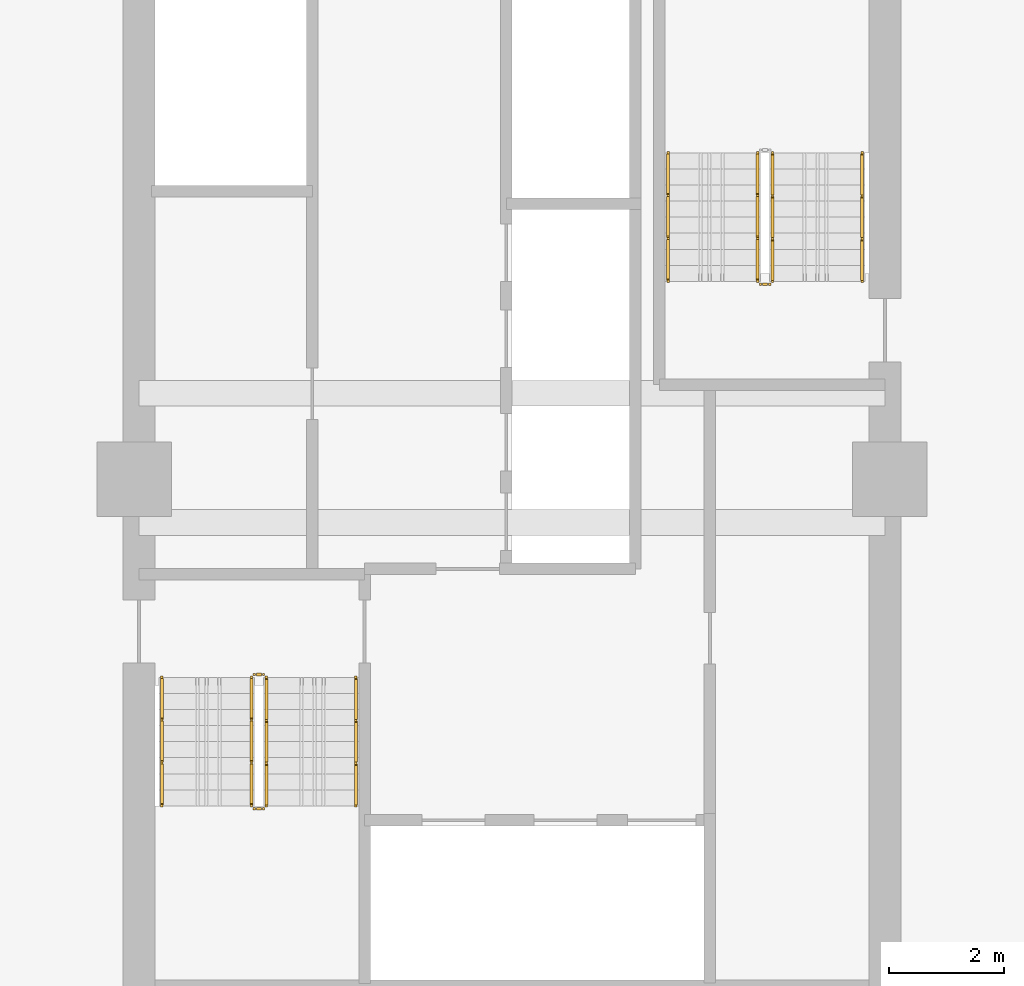
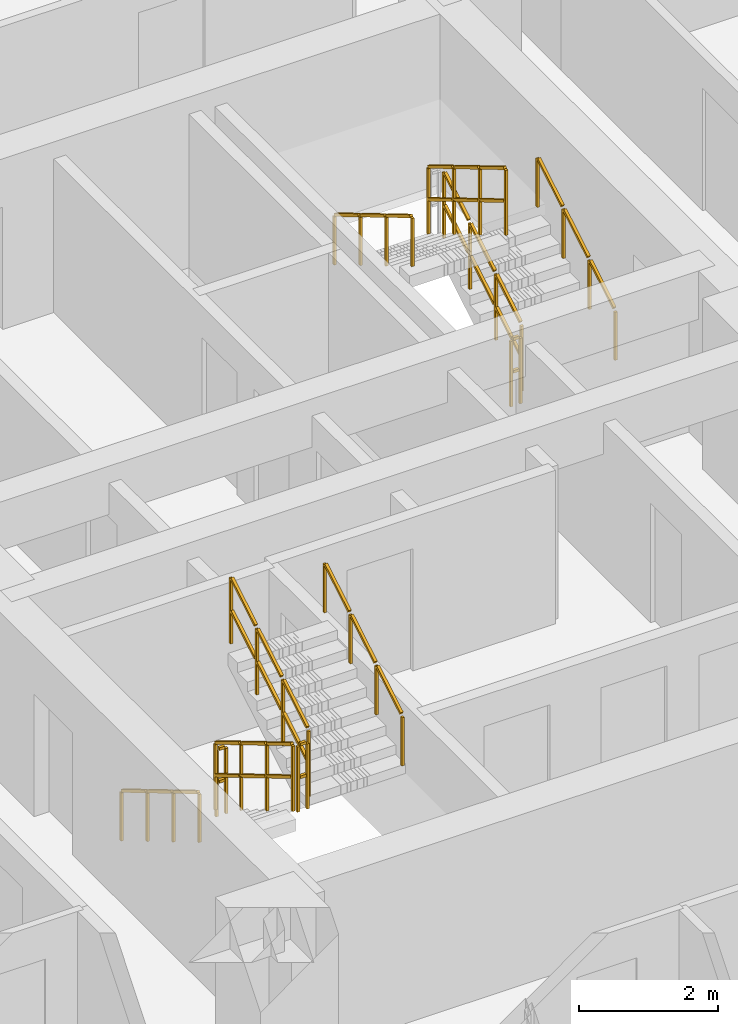
# One storey, part 9 of 11: 11 railings.
"""IFC4 building model written with IfcOpenShell, lengths in metres."""

from ifc_helpers import new_model, si_unit, direction, frame, origin, origin_2d, place, context, subcontext, project, spatial, rectangle, extrude, material, type_object, element, save


model = new_model("IFC4")

# Units and contexts
model_context = context("Model", 3, precision=1e-05, world=origin(), true_north=direction((0.0, 1.0)))
body_context = subcontext(model_context, "Body", "Model", "MODEL_VIEW")
ifc_project = project(units=[si_unit("LENGTHUNIT", "METRE"), si_unit("AREAUNIT", "SQUARE_METRE"), si_unit("VOLUMEUNIT", "CUBIC_METRE"), si_unit("PLANEANGLEUNIT", "RADIAN"), si_unit("MASSUNIT", "GRAM", prefix="KILO")], contexts=[model_context])

# Site, building, storey
site_placement = place(None, origin())
site = spatial("IfcSite", under=ifc_project, at=site_placement, CompositionType="ELEMENT")
building_placement = place(site_placement, origin())
building = spatial("IfcBuilding", under=site, at=building_placement, Name="Saelheon Loggia Tower", CompositionType="ELEMENT")
storey_placement = place(building_placement, frame((0.0, 0.0, 141.75)))
storey = spatial("IfcBuildingStorey", under=building, at=storey_placement, Name="L45", CompositionType="ELEMENT", Elevation=141.75)

# Railings
ifc_material_1 = material(Name="Galvanised Steel S275 Stairwell Guardrail", Category="steel")
railing_type_1 = type_object("IfcRailingType", Name="Guard_StairWell_RL_STG", PredefinedType="GUARDRAIL", material=ifc_material_1)
railing_1_placement = place(storey_placement, frame((33.4599609375, 23.550048828125, 0.166748046875)))
element("IfcRailing", 1, at=railing_1_placement, inside=storey, type_object=railing_type_1, Name="L45 ST1 stair guard 1", PredefinedType="GUARDRAIL", context=body_context, shape_type="SweptSolid", body=[
    extrude(rectangle(XDim=0.048095703125, YDim=0.048095703125, at=origin_2d()), frame((0.0, -0.028564453125, 1.19287109375), z_axis=(0.0, -0.859305625298, 0.511462454469), x_axis=(1.0, 0.0, 0.0)), (0.0, 0.0, 1.0), 0.802490234375),
    extrude(rectangle(XDim=0.048095703125, YDim=0.048095703125, at=origin_2d()), frame((0.0, -0.028564453125, 0.616943359375), z_axis=(0.0, -0.859305625298, 0.511462454469), x_axis=(1.0, 0.0, 0.0)), (0.0, 0.0, 1.0), 0.802490234375),
    extrude(rectangle(XDim=0.048095703125, YDim=0.048095703125, at=origin_2d()), frame((0.0, -0.775146484375, 1.63720703125), z_axis=(0.0, -0.859305625298, 0.511462454469), x_axis=(1.0, 0.0, 0.0)), (0.0, 0.0, 1.0), 0.802490234375),
    extrude(rectangle(XDim=0.048095703125, YDim=0.048095703125, at=origin_2d()), frame((0.0, -0.775146484375, 1.061279296875), z_axis=(0.0, -0.859305625298, 0.511462454469), x_axis=(1.0, 0.0, 0.0)), (0.0, 0.0, 1.0), 0.802490234375),
    extrude(rectangle(XDim=0.048095703125, YDim=0.048095703125, at=origin_2d()), frame((0.0, -1.52197265625, 2.081787109375), z_axis=(0.0, -0.859305625298, 0.511462454469), x_axis=(1.0, 0.0, 0.0)), (0.0, 0.0, 1.0), 0.802490234375),
    extrude(rectangle(XDim=0.048095703125, YDim=0.048095703125, at=origin_2d()), frame((0.0, -1.52197265625, 1.505859375), z_axis=(0.0, -0.859305625298, 0.511462454469), x_axis=(1.0, 0.0, 0.0)), (0.0, 0.0, 1.0), 0.802490234375),
    extrude(rectangle(XDim=0.0419921875, YDim=0.0419921875, at=origin_2d()), origin(), (0.0, 0.0, 1.0), 1.14794921875),
    extrude(rectangle(XDim=0.0419921875, YDim=0.0419921875, at=origin_2d()), frame((0.0, -0.74658203125, 0.4443359375)), (0.0, 0.0, 1.0), 1.14794921875),
    extrude(rectangle(XDim=0.0419921875, YDim=0.0419921875, at=origin_2d()), frame((0.0, -1.493408203125, 0.888916015625)), (0.0, 0.0, 1.0), 1.14794921875),
    extrude(rectangle(XDim=0.0419921875, YDim=0.0419921875, at=origin_2d()), frame((0.0, -2.239990234375, 1.333251953125)), (0.0, 0.0, 1.0), 1.14794921875),
])
railing_2_placement = place(storey_placement, frame((33.510009765625, 21.260009765625, 1.5)))
element("IfcRailing", 2, at=railing_2_placement, inside=storey, type_object=railing_type_1, Name="L45 ST1 stair guard 2", PredefinedType="GUARDRAIL", context=body_context, shape_type="SweptSolid", body=[
    extrude(rectangle(XDim=0.048095703125, YDim=0.048095703125, at=origin_2d()), frame((0.033203125, 0.0, 1.17578125), z_axis=(1.0, 0.0, 0.0), x_axis=(0.0, 1.0, 0.0)), (0.0, 0.0, 1.0), 0.093505859375),
    extrude(rectangle(XDim=0.048095703125, YDim=0.048095703125, at=origin_2d()), frame((0.033203125, 0.0, 0.60009765625), z_axis=(1.0, 0.0, 0.0), x_axis=(0.0, 1.0, 0.0)), (0.0, 0.0, 1.0), 0.093505859375),
    extrude(rectangle(XDim=0.0419921875, YDim=0.0419921875, at=origin_2d()), origin(), (0.0, 0.0, 1.0), 1.14794921875),
    extrude(rectangle(XDim=0.0419921875, YDim=0.0419921875, at=origin_2d()), frame((0.159912109375, 0.0, 0.0)), (0.0, 0.0, 1.0), 1.14794921875),
])
railing_3_placement = place(storey_placement, frame((33.719970703125, 21.31005859375, 1.666748046875)))
element("IfcRailing", 3, at=railing_3_placement, inside=storey, type_object=railing_type_1, Name="L45 ST1 stair guard 3", PredefinedType="GUARDRAIL", context=body_context, shape_type="SweptSolid", body=[
    extrude(rectangle(XDim=0.048095703125, YDim=0.048095703125, at=origin_2d()), frame((0.0, 0.028564453125, 1.19287109375), z_axis=(0.0, 0.859305625298, 0.511462454469), x_axis=(-1.0, 0.0, 0.0)), (0.0, 0.0, 1.0), 0.802490234375),
    extrude(rectangle(XDim=0.048095703125, YDim=0.048095703125, at=origin_2d()), frame((0.0, 0.028564453125, 0.616943359375), z_axis=(0.0, 0.859305625298, 0.511462454469), x_axis=(-1.0, 0.0, 0.0)), (0.0, 0.0, 1.0), 0.802490234375),
    extrude(rectangle(XDim=0.048095703125, YDim=0.048095703125, at=origin_2d()), frame((0.0, 0.775146484375, 1.63720703125), z_axis=(0.0, 0.859305625298, 0.511462454469), x_axis=(-1.0, 0.0, 0.0)), (0.0, 0.0, 1.0), 0.802490234375),
    extrude(rectangle(XDim=0.048095703125, YDim=0.048095703125, at=origin_2d()), frame((0.0, 0.775146484375, 1.061279296875), z_axis=(0.0, 0.859305625298, 0.511462454469), x_axis=(-1.0, 0.0, 0.0)), (0.0, 0.0, 1.0), 0.802490234375),
    extrude(rectangle(XDim=0.048095703125, YDim=0.048095703125, at=origin_2d()), frame((0.0, 1.52197265625, 2.081787109375), z_axis=(0.0, 0.859305625298, 0.511462454469), x_axis=(-1.0, 0.0, 0.0)), (0.0, 0.0, 1.0), 0.802490234375),
    extrude(rectangle(XDim=0.048095703125, YDim=0.048095703125, at=origin_2d()), frame((0.0, 1.52197265625, 1.505859375), z_axis=(0.0, 0.859305625298, 0.511462454469), x_axis=(-1.0, 0.0, 0.0)), (0.0, 0.0, 1.0), 0.802490234375),
    extrude(rectangle(XDim=0.0419921875, YDim=0.0419921875, at=origin_2d()), origin(), (0.0, 0.0, 1.0), 1.14794921875),
    extrude(rectangle(XDim=0.0419921875, YDim=0.0419921875, at=origin_2d()), frame((0.0, 0.74658203125, 0.4443359375)), (0.0, 0.0, 1.0), 1.14794921875),
    extrude(rectangle(XDim=0.0419921875, YDim=0.0419921875, at=origin_2d()), frame((0.0, 1.493408203125, 0.888916015625)), (0.0, 0.0, 1.0), 1.14794921875),
    extrude(rectangle(XDim=0.0419921875, YDim=0.0419921875, at=origin_2d()), frame((0.0, 2.239990234375, 1.333251953125)), (0.0, 0.0, 1.0), 1.14794921875),
])
railing_4_placement = place(storey_placement, frame((33.510009765625, 23.60009765625, 0.0)))
element("IfcRailing", 4, at=railing_4_placement, inside=storey, type_object=railing_type_1, Name="L45 ST1 stair guard 4", PredefinedType="GUARDRAIL", context=body_context, shape_type="SweptSolid", body=[
    extrude(rectangle(XDim=0.048095703125, YDim=0.048095703125, at=origin_2d()), frame((0.033203125, 0.0, 1.17578125), z_axis=(1.0, 0.0, 0.0), x_axis=(0.0, 1.0, 0.0)), (0.0, 0.0, 1.0), 0.093505859375),
    extrude(rectangle(XDim=0.048095703125, YDim=0.048095703125, at=origin_2d()), frame((0.033203125, 0.0, 0.60009765625), z_axis=(1.0, 0.0, 0.0), x_axis=(0.0, 1.0, 0.0)), (0.0, 0.0, 1.0), 0.093505859375),
    extrude(rectangle(XDim=0.0419921875, YDim=0.0419921875, at=origin_2d()), origin(), (0.0, 0.0, 1.0), 1.14794921875),
    extrude(rectangle(XDim=0.0419921875, YDim=0.0419921875, at=origin_2d()), frame((0.159912109375, 0.0, 0.0)), (0.0, 0.0, 1.0), 1.14794921875),
])
railing_5_placement = place(storey_placement, frame((42.5400390625, 30.449951171875, 0.166748046875)))
element("IfcRailing", 5, at=railing_5_placement, inside=storey, type_object=railing_type_1, Name="L45 ST2 stair guard 1", PredefinedType="GUARDRAIL", context=body_context, shape_type="SweptSolid", body=[
    extrude(rectangle(XDim=0.048095703125, YDim=0.048095703125, at=origin_2d()), frame((0.0, 0.028564453125, 1.19287109375), z_axis=(0.0, 0.859305625298, 0.511462454469), x_axis=(-1.0, 0.0, 0.0)), (0.0, 0.0, 1.0), 0.802490234375),
    extrude(rectangle(XDim=0.048095703125, YDim=0.048095703125, at=origin_2d()), frame((0.0, 0.028564453125, 0.616943359375), z_axis=(0.0, 0.859305625298, 0.511462454469), x_axis=(-1.0, 0.0, 0.0)), (0.0, 0.0, 1.0), 0.802490234375),
    extrude(rectangle(XDim=0.048095703125, YDim=0.048095703125, at=origin_2d()), frame((0.0, 0.775146484375, 1.63720703125), z_axis=(0.0, 0.859305625298, 0.511462454469), x_axis=(-1.0, 0.0, 0.0)), (0.0, 0.0, 1.0), 0.802490234375),
    extrude(rectangle(XDim=0.048095703125, YDim=0.048095703125, at=origin_2d()), frame((0.0, 0.775146484375, 1.061279296875), z_axis=(0.0, 0.859305625298, 0.511462454469), x_axis=(-1.0, 0.0, 0.0)), (0.0, 0.0, 1.0), 0.802490234375),
    extrude(rectangle(XDim=0.048095703125, YDim=0.048095703125, at=origin_2d()), frame((0.0, 1.52197265625, 2.081787109375), z_axis=(0.0, 0.859305625298, 0.511462454469), x_axis=(-1.0, 0.0, 0.0)), (0.0, 0.0, 1.0), 0.802490234375),
    extrude(rectangle(XDim=0.048095703125, YDim=0.048095703125, at=origin_2d()), frame((0.0, 1.52197265625, 1.505859375), z_axis=(0.0, 0.859305625298, 0.511462454469), x_axis=(-1.0, 0.0, 0.0)), (0.0, 0.0, 1.0), 0.802490234375),
    extrude(rectangle(XDim=0.0419921875, YDim=0.0419921875, at=origin_2d()), origin(), (0.0, 0.0, 1.0), 1.14794921875),
    extrude(rectangle(XDim=0.0419921875, YDim=0.0419921875, at=origin_2d()), frame((0.0, 0.74658203125, 0.4443359375)), (0.0, 0.0, 1.0), 1.14794921875),
    extrude(rectangle(XDim=0.0419921875, YDim=0.0419921875, at=origin_2d()), frame((0.0, 1.493408203125, 0.888916015625)), (0.0, 0.0, 1.0), 1.14794921875),
    extrude(rectangle(XDim=0.0419921875, YDim=0.0419921875, at=origin_2d()), frame((0.0, 2.239990234375, 1.333251953125)), (0.0, 0.0, 1.0), 1.14794921875),
])
railing_6_placement = place(storey_placement, frame((42.280029296875, 32.68994140625, 1.666748046875)))
element("IfcRailing", 6, at=railing_6_placement, inside=storey, type_object=railing_type_1, Name="L45 ST2 stair guard 3", PredefinedType="GUARDRAIL", context=body_context, shape_type="SweptSolid", body=[
    extrude(rectangle(XDim=0.048095703125, YDim=0.048095703125, at=origin_2d()), frame((0.0, -0.028564453125, 1.19287109375), z_axis=(0.0, -0.859305625298, 0.511462454469), x_axis=(1.0, 0.0, 0.0)), (0.0, 0.0, 1.0), 0.802490234375),
    extrude(rectangle(XDim=0.048095703125, YDim=0.048095703125, at=origin_2d()), frame((0.0, -0.028564453125, 0.616943359375), z_axis=(0.0, -0.859305625298, 0.511462454469), x_axis=(1.0, 0.0, 0.0)), (0.0, 0.0, 1.0), 0.802490234375),
    extrude(rectangle(XDim=0.048095703125, YDim=0.048095703125, at=origin_2d()), frame((0.0, -0.775146484375, 1.63720703125), z_axis=(0.0, -0.859305625298, 0.511462454469), x_axis=(1.0, 0.0, 0.0)), (0.0, 0.0, 1.0), 0.802490234375),
    extrude(rectangle(XDim=0.048095703125, YDim=0.048095703125, at=origin_2d()), frame((0.0, -0.775146484375, 1.061279296875), z_axis=(0.0, -0.859305625298, 0.511462454469), x_axis=(1.0, 0.0, 0.0)), (0.0, 0.0, 1.0), 0.802490234375),
    extrude(rectangle(XDim=0.048095703125, YDim=0.048095703125, at=origin_2d()), frame((0.0, -1.52197265625, 2.081787109375), z_axis=(0.0, -0.859305625298, 0.511462454469), x_axis=(1.0, 0.0, 0.0)), (0.0, 0.0, 1.0), 0.802490234375),
    extrude(rectangle(XDim=0.048095703125, YDim=0.048095703125, at=origin_2d()), frame((0.0, -1.52197265625, 1.505859375), z_axis=(0.0, -0.859305625298, 0.511462454469), x_axis=(1.0, 0.0, 0.0)), (0.0, 0.0, 1.0), 0.802490234375),
    extrude(rectangle(XDim=0.0419921875, YDim=0.0419921875, at=origin_2d()), origin(), (0.0, 0.0, 1.0), 1.14794921875),
    extrude(rectangle(XDim=0.0419921875, YDim=0.0419921875, at=origin_2d()), frame((0.0, -0.74658203125, 0.4443359375)), (0.0, 0.0, 1.0), 1.14794921875),
    extrude(rectangle(XDim=0.0419921875, YDim=0.0419921875, at=origin_2d()), frame((0.0, -1.493408203125, 0.888916015625)), (0.0, 0.0, 1.0), 1.14794921875),
    extrude(rectangle(XDim=0.0419921875, YDim=0.0419921875, at=origin_2d()), frame((0.0, -2.239990234375, 1.333251953125)), (0.0, 0.0, 1.0), 1.14794921875),
])
railing_7_placement = place(storey_placement, frame((42.489990234375, 30.39990234375, 0.0)))
element("IfcRailing", 7, at=railing_7_placement, inside=storey, type_object=railing_type_1, Name="L45 ST2 stair guard 4", PredefinedType="GUARDRAIL", context=body_context, shape_type="SweptSolid", body=[
    extrude(rectangle(XDim=0.048095703125, YDim=0.048095703125, at=origin_2d()), frame((-0.033203125, 0.0, 1.17578125), z_axis=(-1.0, 0.0, 0.0), x_axis=(0.0, -1.0, 0.0)), (0.0, 0.0, 1.0), 0.093505859375),
    extrude(rectangle(XDim=0.048095703125, YDim=0.048095703125, at=origin_2d()), frame((-0.033203125, 0.0, 0.60009765625), z_axis=(-1.0, 0.0, 0.0), x_axis=(0.0, -1.0, 0.0)), (0.0, 0.0, 1.0), 0.093505859375),
    extrude(rectangle(XDim=0.0419921875, YDim=0.0419921875, at=origin_2d()), origin(), (0.0, 0.0, 1.0), 1.14794921875),
    extrude(rectangle(XDim=0.0419921875, YDim=0.0419921875, at=origin_2d()), frame((-0.159912109375, 0.0, 0.0)), (0.0, 0.0, 1.0), 1.14794921875),
])
ifc_material_2 = material(Name="Stainless Steel 304 Tubular Handrail", Category="steel")
railing_type_2 = type_object("IfcRailingType", Name="Handrail_Stair_RL_HR1", PredefinedType="HANDRAIL", material=ifc_material_2)
railing_8_placement = place(storey_placement, frame((31.89990234375, 23.550048828125, 0.166748046875)))
element("IfcRailing", 8, at=railing_8_placement, inside=storey, type_object=railing_type_2, Name="L45 ST1 stair handrail 1", PredefinedType="HANDRAIL", context=body_context, shape_type="SweptSolid", body=[
    extrude(rectangle(XDim=0.048095703125, YDim=0.048095703125, at=origin_2d()), frame((0.0, -0.028564453125, 0.892822265625), z_axis=(0.0, -0.859305625298, 0.511462454469), x_axis=(1.0, 0.0, 0.0)), (0.0, 0.0, 1.0), 0.802490234375),
    extrude(rectangle(XDim=0.048095703125, YDim=0.048095703125, at=origin_2d()), frame((0.0, -0.775146484375, 1.337158203125), z_axis=(0.0, -0.859305625298, 0.511462454469), x_axis=(1.0, 0.0, 0.0)), (0.0, 0.0, 1.0), 0.802490234375),
    extrude(rectangle(XDim=0.048095703125, YDim=0.048095703125, at=origin_2d()), frame((0.0, -1.52197265625, 1.78173828125), z_axis=(0.0, -0.859305625298, 0.511462454469), x_axis=(1.0, 0.0, 0.0)), (0.0, 0.0, 1.0), 0.802490234375),
    extrude(rectangle(XDim=0.0419921875, YDim=0.0419921875, at=origin_2d()), origin(), (0.0, 0.0, 1.0), 0.847900390625),
    extrude(rectangle(XDim=0.0419921875, YDim=0.0419921875, at=origin_2d()), frame((0.0, -0.74658203125, 0.4443359375)), (0.0, 0.0, 1.0), 0.847900390625),
    extrude(rectangle(XDim=0.0419921875, YDim=0.0419921875, at=origin_2d()), frame((0.0, -1.493408203125, 0.888916015625)), (0.0, 0.0, 1.0), 0.847900390625),
    extrude(rectangle(XDim=0.0419921875, YDim=0.0419921875, at=origin_2d()), frame((0.0, -2.239990234375, 1.333251953125)), (0.0, 0.0, 1.0), 0.847900390625),
])
for number, where, name in (
    (9, (35.280029296875, 21.31005859375, 1.666748046875), "L45 ST1 stair handrail 2"),
    (10, (44.10009765625, 30.449951171875, 0.166748046875), "L45 ST2 stair handrail 1"),
):
    element("IfcRailing", number, at=place(storey_placement, frame(where)), inside=storey, type_object=railing_type_2, Name=name, PredefinedType="HANDRAIL", context=body_context, shape_type="SweptSolid", body=[
        extrude(rectangle(XDim=0.048095703125, YDim=0.048095703125, at=origin_2d()), frame((0.0, 0.028564453125, 0.892822265625), z_axis=(0.0, 0.859305625298, 0.511462454469), x_axis=(-1.0, 0.0, 0.0)), (0.0, 0.0, 1.0), 0.802490234375),
        extrude(rectangle(XDim=0.048095703125, YDim=0.048095703125, at=origin_2d()), frame((0.0, 0.775146484375, 1.337158203125), z_axis=(0.0, 0.859305625298, 0.511462454469), x_axis=(-1.0, 0.0, 0.0)), (0.0, 0.0, 1.0), 0.802490234375),
        extrude(rectangle(XDim=0.048095703125, YDim=0.048095703125, at=origin_2d()), frame((0.0, 1.52197265625, 1.78173828125), z_axis=(0.0, 0.859305625298, 0.511462454469), x_axis=(-1.0, 0.0, 0.0)), (0.0, 0.0, 1.0), 0.802490234375),
        extrude(rectangle(XDim=0.0419921875, YDim=0.0419921875, at=origin_2d()), origin(), (0.0, 0.0, 1.0), 0.847900390625),
        extrude(rectangle(XDim=0.0419921875, YDim=0.0419921875, at=origin_2d()), frame((0.0, 0.74658203125, 0.4443359375)), (0.0, 0.0, 1.0), 0.847900390625),
        extrude(rectangle(XDim=0.0419921875, YDim=0.0419921875, at=origin_2d()), frame((0.0, 1.493408203125, 0.888916015625)), (0.0, 0.0, 1.0), 0.847900390625),
        extrude(rectangle(XDim=0.0419921875, YDim=0.0419921875, at=origin_2d()), frame((0.0, 2.239990234375, 1.333251953125)), (0.0, 0.0, 1.0), 0.847900390625),
    ])
railing_9_placement = place(storey_placement, frame((40.719970703125, 32.68994140625, 1.666748046875)))
element("IfcRailing", 11, at=railing_9_placement, inside=storey, type_object=railing_type_2, Name="L45 ST2 stair handrail 2", PredefinedType="HANDRAIL", context=body_context, shape_type="SweptSolid", body=[
    extrude(rectangle(XDim=0.048095703125, YDim=0.048095703125, at=origin_2d()), frame((0.0, -0.028564453125, 0.892822265625), z_axis=(0.0, -0.859305625298, 0.511462454469), x_axis=(1.0, 0.0, 0.0)), (0.0, 0.0, 1.0), 0.802490234375),
    extrude(rectangle(XDim=0.048095703125, YDim=0.048095703125, at=origin_2d()), frame((0.0, -0.775146484375, 1.337158203125), z_axis=(0.0, -0.859305625298, 0.511462454469), x_axis=(1.0, 0.0, 0.0)), (0.0, 0.0, 1.0), 0.802490234375),
    extrude(rectangle(XDim=0.048095703125, YDim=0.048095703125, at=origin_2d()), frame((0.0, -1.52197265625, 1.78173828125), z_axis=(0.0, -0.859305625298, 0.511462454469), x_axis=(1.0, 0.0, 0.0)), (0.0, 0.0, 1.0), 0.802490234375),
    extrude(rectangle(XDim=0.0419921875, YDim=0.0419921875, at=origin_2d()), origin(), (0.0, 0.0, 1.0), 0.847900390625),
    extrude(rectangle(XDim=0.0419921875, YDim=0.0419921875, at=origin_2d()), frame((0.0, -0.74658203125, 0.4443359375)), (0.0, 0.0, 1.0), 0.847900390625),
    extrude(rectangle(XDim=0.0419921875, YDim=0.0419921875, at=origin_2d()), frame((0.0, -1.493408203125, 0.888916015625)), (0.0, 0.0, 1.0), 0.847900390625),
    extrude(rectangle(XDim=0.0419921875, YDim=0.0419921875, at=origin_2d()), frame((0.0, -2.239990234375, 1.333251953125)), (0.0, 0.0, 1.0), 0.847900390625),
])

save(model, "model.ifc")
